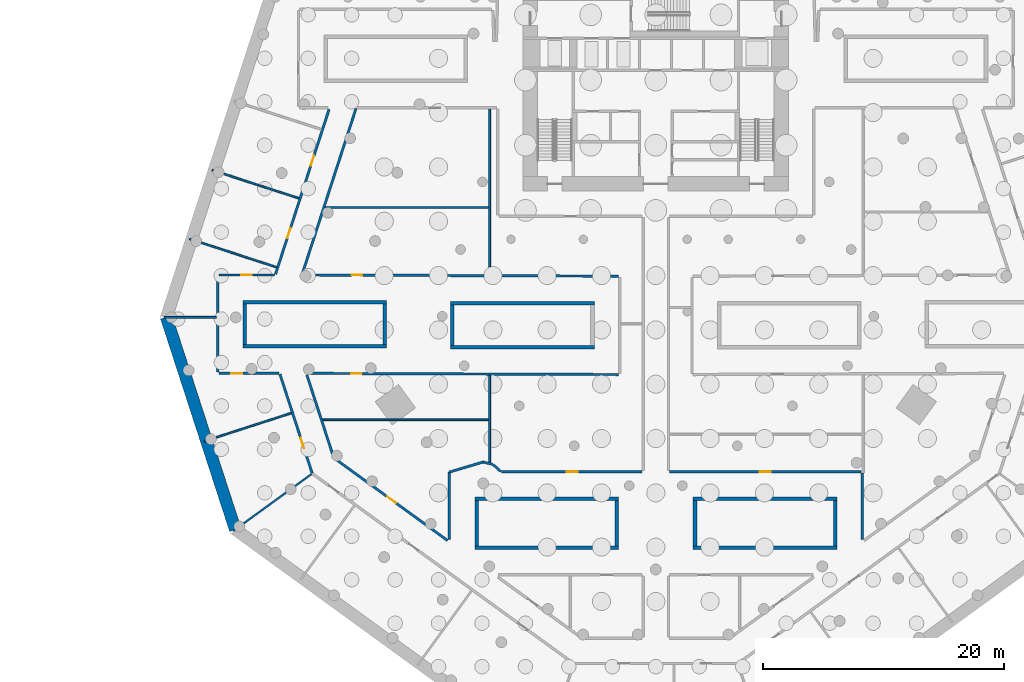
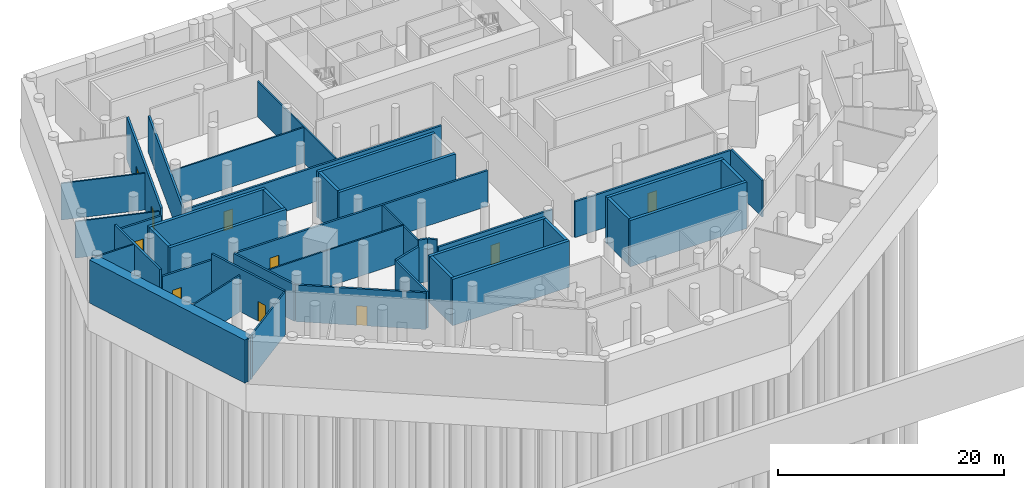
# One storey, part 6 of 12: 42 walls, 10 doors, 10 openings.
"""IFC4 building model written with IfcOpenShell, lengths in metres."""

from ifc_helpers import new_model, si_unit, direction, frame, frame_2d, origin, place, context, subcontext, project, spatial, rectangle, extrude, material, layer, layer_set, type_object, element, fill, save


model = new_model("IFC4")

# Units and contexts
model_context = context("Model", 3, precision=1e-05, world=origin(), true_north=direction((0.0, 1.0)))
body_context = subcontext(model_context, "Body", "Model", "MODEL_VIEW")
ifc_project = project(units=[si_unit("LENGTHUNIT", "METRE"), si_unit("AREAUNIT", "SQUARE_METRE"), si_unit("VOLUMEUNIT", "CUBIC_METRE"), si_unit("PLANEANGLEUNIT", "RADIAN"), si_unit("MASSUNIT", "GRAM", prefix="KILO")], contexts=[model_context])

# Site, building, storey
site_placement = place(None, origin())
site = spatial("IfcSite", under=ifc_project, at=site_placement, CompositionType="ELEMENT")
building_placement = place(site_placement, origin())
building = spatial("IfcBuilding", under=site, at=building_placement, Name="White Candle Pilgrim Tower", CompositionType="ELEMENT")
storey_placement = place(building_placement, frame((0.0, 0.0, -10.0)))
storey = spatial("IfcBuildingStorey", under=building, at=storey_placement, Name="B2", CompositionType="ELEMENT", Elevation=-10.0)

# Wall, opening, door
ifc_material_1 = material(Name="Gypsum board on steel studs", Category="steel")
ifc_layer_1 = layer(ifc_material_1, 0.199951171875)
ifc_layer_set_1 = layer_set([ifc_layer_1], Name="Corridor wall 200 mm EI 45")
wall_type_1 = type_object("IfcWallType", Name="Corridor wall 200 mm EI 45", PredefinedType="PARTITIONING", material=ifc_layer_set_1)
wall_1_placement = place(storey_placement, frame((41.526611328125, 47.62890625, 0.0), z_axis=(0.0, 0.0, 1.0), x_axis=(-0.309050865735, 0.951045510156, 0.0)))
wall_1 = element("IfcWall", 1, at=wall_1_placement, inside=storey, type_object=wall_type_1, Name="WL-B2-P001", PredefinedType="PARTITIONING", context=body_context, shape_type="SweptSolid", body=[
    extrude(rectangle(XDim=8.6240234375, YDim=0.199951171875, at=frame_2d((4.31201171875, 0.0))), origin(), (0.0, 0.0, 1.0), 4.64990234375),
])
opening_1_placement = place(wall_1_placement, frame((2.169189453125, 0.0, 0.0)))
opening_1 = element("IfcOpeningElement", 2, at=opening_1_placement, cuts=wall_1, Name="Opening B2-106", PredefinedType="OPENING", context=body_context, shape_type="SweptSolid", body=[
    extrude(rectangle(XDim=0.89990234375, YDim=2.10009765625, at=frame_2d((0.449951171875, 1.050048828125))), frame((0.0, 0.10986328125, 0.0), z_axis=(0.0, -1.0, 0.0), x_axis=(1.0, 0.0, 0.0)), (0.0, 0.0, 1.0), 0.219970703125),
])
ifc_material_2 = material(Name="Steel door leaf", Category="steel")
door_type = type_object("IfcDoorType", Name="Fire door 900 x 2100 EI 30", OperationType="NOTDEFINED", PredefinedType="DOOR", material=ifc_material_2)
door_1_placement = place(opening_1_placement, origin())
door_1 = element("IfcDoor", 3, at=door_1_placement, inside=storey, type_object=door_type, Name="Door B2-106", OperationType="SINGLE_SWING_RIGHT", OverallHeight=2.10009765625, OverallWidth=0.89990234375, PredefinedType="DOOR", context=body_context, shape_type="SweptSolid", body=[
    extrude(rectangle(XDim=0.89990234375, YDim=2.10009765625, at=frame_2d((0.449951171875, 1.050048828125))), frame((0.0, 0.02490234375, 0.0), z_axis=(0.0, -1.0, 0.0), x_axis=(1.0, 0.0, 0.0)), (0.0, 0.0, 1.0), 0.050048828125),
])
fill(opening_1, door_1)

wall_2_placement = place(storey_placement, frame((38.766357421875, 55.89990234375, 0.0), z_axis=(0.0, 0.0, 1.0), x_axis=(-1.0, 0.0, 0.0)))
wall_2 = element("IfcWall", 4, at=wall_2_placement, inside=storey, type_object=wall_type_1, Name="WL-B2-P002", PredefinedType="PARTITIONING", context=body_context, shape_type="SweptSolid", body=[
    extrude(rectangle(XDim=4.96630859375, YDim=0.199951171875, at=frame_2d((2.483154296875, 0.0))), origin(), (0.0, 0.0, 1.0), 3.949951171875),
])
opening_2_placement = place(wall_2_placement, frame((3.046875, 0.0, 0.0)))
opening_2 = element("IfcOpeningElement", 5, at=opening_2_placement, cuts=wall_2, Name="Opening B2-105", PredefinedType="OPENING", context=body_context, shape_type="SweptSolid", body=[
    extrude(rectangle(XDim=0.89990234375, YDim=2.10009765625, at=frame_2d((0.449951171875, 1.050048828125))), frame((0.0, 0.10986328125, 0.0), z_axis=(0.0, -1.0, 0.0), x_axis=(1.0, 0.0, 0.0)), (0.0, 0.0, 1.0), 0.219970703125),
])
door_2_placement = place(opening_2_placement, origin())
door_2 = element("IfcDoor", 6, at=door_2_placement, inside=storey, type_object=door_type, Name="Door B2-105", OperationType="SINGLE_SWING_LEFT", OverallHeight=2.10009765625, OverallWidth=0.89990234375, PredefinedType="DOOR", context=body_context, shape_type="SweptSolid", body=[
    extrude(rectangle(XDim=0.89990234375, YDim=2.10009765625, at=frame_2d((0.449951171875, 1.050048828125))), frame((0.0, 0.02490234375, 0.0), z_axis=(0.0, -1.0, 0.0), x_axis=(1.0, 0.0, 0.0)), (0.0, 0.0, 1.0), 0.050048828125),
])
fill(opening_2, door_2)

# Wall
wall_3_placement = place(storey_placement, frame((33.699951171875, 56.0, 0.0), z_axis=(0.0, 0.0, 1.0), x_axis=(0.0, 1.0, 0.0)))
element("IfcWall", 7, at=wall_3_placement, inside=storey, type_object=wall_type_1, Name="WL-B2-P003", PredefinedType="PARTITIONING", context=body_context, shape_type="SweptSolid", body=[
    extrude(rectangle(XDim=7.949951171875, YDim=0.199951171875, at=frame_2d((3.97509765625, 0.0))), origin(), (0.0, 0.0, 1.0), 4.64990234375),
])

# Wall, opening, door
wall_4_placement = place(storey_placement, frame((33.800048828125, 64.050048828125, 0.0), z_axis=(0.0, 0.0, 1.0), x_axis=(1.0, 0.0, 0.0)))
wall_4 = element("IfcWall", 8, at=wall_4_placement, inside=storey, type_object=wall_type_1, Name="WL-B2-P004", PredefinedType="PARTITIONING", context=body_context, shape_type="SweptSolid", body=[
    extrude(rectangle(XDim=4.599609375, YDim=0.199951171875, at=frame_2d((2.2998046875, 0.0))), origin(), (0.0, 0.0, 1.0), 3.949951171875),
])
opening_3_placement = place(wall_4_placement, frame((1.836181640625, 0.0, 0.0)))
opening_3 = element("IfcOpeningElement", 9, at=opening_3_placement, cuts=wall_4, Name="Opening B2-104", PredefinedType="OPENING", context=body_context, shape_type="SweptSolid", body=[
    extrude(rectangle(XDim=0.89990234375, YDim=2.10009765625, at=frame_2d((0.449951171875, 1.050048828125))), frame((0.0, 0.10986328125, 0.0), z_axis=(0.0, -1.0, 0.0), x_axis=(1.0, 0.0, 0.0)), (0.0, 0.0, 1.0), 0.219970703125),
])
door_3_placement = place(opening_3_placement, origin())
door_3 = element("IfcDoor", 10, at=door_3_placement, inside=storey, type_object=door_type, Name="Door B2-104", OperationType="SINGLE_SWING_RIGHT", OverallHeight=2.10009765625, OverallWidth=0.89990234375, PredefinedType="DOOR", context=body_context, shape_type="SweptSolid", body=[
    extrude(rectangle(XDim=0.89990234375, YDim=2.10009765625, at=frame_2d((0.449951171875, 1.050048828125))), frame((0.0, 0.02490234375, 0.0), z_axis=(0.0, -1.0, 0.0), x_axis=(1.0, 0.0, 0.0)), (0.0, 0.0, 1.0), 0.050048828125),
])
fill(opening_3, door_3)

# Wall, openings, doors
wall_5_placement = place(storey_placement, frame((38.494873046875, 64.119140625, 0.0), z_axis=(0.0, 0.0, 1.0), x_axis=(0.309012990643, 0.951057817177, 0.0)))
wall_5 = element("IfcWall", 11, at=wall_5_placement, inside=storey, type_object=wall_type_1, Name="WL-B2-P005", PredefinedType="PARTITIONING", context=body_context, shape_type="SweptSolid", body=[
    extrude(rectangle(XDim=14.352294921875, YDim=0.199951171875, at=frame_2d((7.17626953125, 0.0))), origin(), (0.0, 0.0, 1.0), 4.64990234375),
])
opening_4_placement = place(wall_5_placement, frame((9.441162109375, 0.0, 0.0)))
opening_4 = element("IfcOpeningElement", 12, at=opening_4_placement, cuts=wall_5, Name="Opening B2-102", PredefinedType="OPENING", context=body_context, shape_type="SweptSolid", body=[
    extrude(rectangle(XDim=0.89990234375, YDim=2.10009765625, at=frame_2d((0.449951171875, 1.050048828125))), frame((0.0, 0.10986328125, 0.0), z_axis=(0.0, -1.0, 0.0), x_axis=(1.0, 0.0, 0.0)), (0.0, 0.0, 1.0), 0.219970703125),
])
opening_5_placement = place(wall_5_placement, frame((3.12353515625, 0.0, 0.0)))
opening_5 = element("IfcOpeningElement", 13, at=opening_5_placement, cuts=wall_5, Name="Opening B2-103", PredefinedType="OPENING", context=body_context, shape_type="SweptSolid", body=[
    extrude(rectangle(XDim=0.89990234375, YDim=2.10009765625, at=frame_2d((0.449951171875, 1.050048828125))), frame((0.0, 0.10986328125, 0.0), z_axis=(0.0, -1.0, 0.0), x_axis=(1.0, 0.0, 0.0)), (0.0, 0.0, 1.0), 0.219970703125),
])
door_4_placement = place(opening_4_placement, origin())
door_4 = element("IfcDoor", 14, at=door_4_placement, inside=storey, type_object=door_type, Name="Door B2-102", OperationType="SINGLE_SWING_RIGHT", OverallHeight=2.10009765625, OverallWidth=0.89990234375, PredefinedType="DOOR", context=body_context, shape_type="SweptSolid", body=[
    extrude(rectangle(XDim=0.89990234375, YDim=2.10009765625, at=frame_2d((0.449951171875, 1.050048828125))), frame((0.0, 0.02490234375, 0.0), z_axis=(0.0, -1.0, 0.0), x_axis=(1.0, 0.0, 0.0)), (0.0, 0.0, 1.0), 0.050048828125),
])
fill(opening_4, door_4)
door_5_placement = place(opening_5_placement, origin())
door_5 = element("IfcDoor", 15, at=door_5_placement, inside=storey, type_object=door_type, Name="Door B2-103", OperationType="SINGLE_SWING_LEFT", OverallHeight=2.10009765625, OverallWidth=0.89990234375, PredefinedType="DOOR", context=body_context, shape_type="SweptSolid", body=[
    extrude(rectangle(XDim=0.89990234375, YDim=2.10009765625, at=frame_2d((0.449951171875, 1.050048828125))), frame((0.0, 0.02490234375, 0.0), z_axis=(0.0, -1.0, 0.0), x_axis=(1.0, 0.0, 0.0)), (0.0, 0.0, 1.0), 0.050048828125),
])
fill(opening_5, door_5)

# Wall, opening, door
wall_6_placement = place(storey_placement, frame((71.14990234375, 47.75, 0.0), z_axis=(0.0, 0.0, 1.0), x_axis=(1.0, 0.0, 0.0)))
wall_6 = element("IfcWall", 16, at=wall_6_placement, inside=storey, type_object=wall_type_1, Name="WL-B2-P033", PredefinedType="PARTITIONING", context=body_context, shape_type="SweptSolid", body=[
    extrude(rectangle(XDim=15.85009765625, YDim=0.199951171875, at=frame_2d((7.925048828125, 0.0))), origin(), (0.0, 0.0, 1.0), 3.85009765625),
])
opening_6_placement = place(wall_6_placement, frame((7.47509765625, 0.0, 0.0)))
opening_6 = element("IfcOpeningElement", 17, at=opening_6_placement, cuts=wall_6, Name="Opening B2-137", PredefinedType="OPENING", context=body_context, shape_type="SweptSolid", body=[
    extrude(rectangle(XDim=0.89990234375, YDim=2.10009765625, at=frame_2d((0.449951171875, 1.050048828125))), frame((0.0, 0.10986328125, 0.0), z_axis=(0.0, -1.0, 0.0), x_axis=(1.0, 0.0, 0.0)), (0.0, 0.0, 1.0), 0.219970703125),
])
door_6_placement = place(opening_6_placement, origin())
door_6 = element("IfcDoor", 18, at=door_6_placement, inside=storey, type_object=door_type, Name="Door B2-137", OperationType="SINGLE_SWING_LEFT", OverallHeight=2.10009765625, OverallWidth=0.89990234375, PredefinedType="DOOR", context=body_context, shape_type="SweptSolid", body=[
    extrude(rectangle(XDim=0.89990234375, YDim=2.10009765625, at=frame_2d((0.449951171875, 1.050048828125))), frame((0.0, 0.02490234375, 0.0), z_axis=(0.0, -1.0, 0.0), x_axis=(1.0, 0.0, 0.0)), (0.0, 0.0, 1.0), 0.050048828125),
])
fill(opening_6, door_6)

# Wall
wall_7_placement = place(storey_placement, frame((87.10009765625, 47.64990234375, 0.0), z_axis=(0.0, 0.0, 1.0), x_axis=(0.0, -1.0, 0.0)))
element("IfcWall", 19, at=wall_7_placement, inside=storey, type_object=wall_type_1, Name="WL-B2-P034", PredefinedType="PARTITIONING", context=body_context, shape_type="SweptSolid", body=[
    extrude(rectangle(XDim=5.51611328125, YDim=0.199951171875, at=frame_2d((2.758056640625, 0.0))), origin(), (0.0, 0.0, 1.0), 3.949951171875),
])

# Wall, opening, door
wall_8_placement = place(storey_placement, frame((66.899658203125, 55.80029296875, 0.0), z_axis=(0.0, 0.0, 1.0), x_axis=(-0.999992570732, 0.003854670107, 0.0)))
wall_8 = element("IfcWall", 20, at=wall_8_placement, inside=storey, type_object=wall_type_1, Name="WL-B2-P041", PredefinedType="PARTITIONING", context=body_context, shape_type="SweptSolid", body=[
    extrude(rectangle(XDim=25.714599609375, YDim=0.199951171875, at=frame_2d((12.857421875, 0.0))), origin(), (0.0, 0.0, 1.0), 3.85009765625),
])
opening_7_placement = place(wall_8_placement, frame((21.251220703125, 0.0, 0.0)))
opening_7 = element("IfcOpeningElement", 21, at=opening_7_placement, cuts=wall_8, Name="Opening B2-123", PredefinedType="OPENING", context=body_context, shape_type="SweptSolid", body=[
    extrude(rectangle(XDim=0.89990234375, YDim=2.10009765625, at=frame_2d((0.449951171875, 1.050048828125))), frame((0.0, 0.10986328125, 0.0), z_axis=(0.0, -1.0, 0.0), x_axis=(1.0, 0.0, 0.0)), (0.0, 0.0, 1.0), 0.219970703125),
])
door_7_placement = place(opening_7_placement, origin())
door_7 = element("IfcDoor", 22, at=door_7_placement, inside=storey, type_object=door_type, Name="Door B2-123", OperationType="SINGLE_SWING_LEFT", OverallHeight=2.10009765625, OverallWidth=0.89990234375, PredefinedType="DOOR", context=body_context, shape_type="SweptSolid", body=[
    extrude(rectangle(XDim=0.89990234375, YDim=2.10009765625, at=frame_2d((0.449951171875, 1.050048828125))), frame((0.0, 0.02490234375, 0.0), z_axis=(0.0, -1.0, 0.0), x_axis=(1.0, 0.0, 0.0)), (0.0, 0.0, 1.0), 0.050048828125),
])
fill(opening_7, door_7)

# Wall
wall_9_placement = place(storey_placement, frame((41.08984375, 55.7685546875, 0.0), z_axis=(0.0, 0.0, 1.0), x_axis=(0.309000124439, -0.951061997504, 0.0)))
element("IfcWall", 23, at=wall_9_placement, inside=storey, type_object=wall_type_1, Name="WL-B2-P042", PredefinedType="PARTITIONING", context=body_context, shape_type="SweptSolid", body=[
    extrude(rectangle(XDim=7.19384765625, YDim=0.199951171875, at=frame_2d((3.596923828125, 0.0))), origin(), (0.0, 0.0, 1.0), 3.949951171875),
])

# Wall, opening, door
wall_10_placement = place(storey_placement, frame((43.34912109375, 48.876708984375, 0.0), z_axis=(0.0, 0.0, 1.0), x_axis=(0.809017904923, -0.587783999028, 0.0)))
wall_10 = element("IfcWall", 24, at=wall_10_placement, inside=storey, type_object=wall_type_1, Name="WL-B2-P043", PredefinedType="PARTITIONING", context=body_context, shape_type="SweptSolid", body=[
    extrude(rectangle(XDim=11.609130859375, YDim=0.199951171875, at=frame_2d((5.8046875, 0.0))), origin(), (0.0, 0.0, 1.0), 3.949951171875),
])
opening_8_placement = place(wall_10_placement, frame((5.436279296875, 0.0, 0.0)))
opening_8 = element("IfcOpeningElement", 25, at=opening_8_placement, cuts=wall_10, Name="Opening B2-122", PredefinedType="OPENING", context=body_context, shape_type="SweptSolid", body=[
    extrude(rectangle(XDim=0.89990234375, YDim=2.10009765625, at=frame_2d((0.449951171875, 1.050048828125))), frame((0.0, 0.10986328125, 0.0), z_axis=(0.0, -1.0, 0.0), x_axis=(1.0, 0.0, 0.0)), (0.0, 0.0, 1.0), 0.219970703125),
])
door_8_placement = place(opening_8_placement, origin())
door_8 = element("IfcDoor", 26, at=door_8_placement, inside=storey, type_object=door_type, Name="Door B2-122", OperationType="SINGLE_SWING_RIGHT", OverallHeight=2.10009765625, OverallWidth=0.89990234375, PredefinedType="DOOR", context=body_context, shape_type="SweptSolid", body=[
    extrude(rectangle(XDim=0.89990234375, YDim=2.10009765625, at=frame_2d((0.449951171875, 1.050048828125))), frame((0.0, 0.02490234375, 0.0), z_axis=(0.0, -1.0, 0.0), x_axis=(1.0, 0.0, 0.0)), (0.0, 0.0, 1.0), 0.050048828125),
])
fill(opening_8, door_8)

# Walls
wall_11_placement = place(storey_placement, frame((52.89990234375, 42.1337890625, 0.0), z_axis=(0.0, 0.0, 1.0), x_axis=(0.0, 1.0, 0.0)))
element("IfcWall", 27, at=wall_11_placement, inside=storey, type_object=wall_type_1, Name="WL-B2-P044", PredefinedType="PARTITIONING", context=body_context, shape_type="SweptSolid", body=[
    extrude(rectangle(XDim=5.58642578125, YDim=0.199951171875, at=frame_2d((2.793212890625, 0.0))), origin(), (0.0, 0.0, 1.0), 3.949951171875),
])
wall_12_placement = place(storey_placement, frame((52.885009765625, 47.715576171875, 0.0), z_axis=(0.0, 0.0, 1.0), x_axis=(0.958064878425, 0.286551371885, 0.0)))
element("IfcWall", 28, at=wall_12_placement, inside=storey, type_object=wall_type_1, Name="WL-B2-P045", PredefinedType="PARTITIONING", context=body_context, shape_type="SweptSolid", body=[
    extrude(rectangle(XDim=3.00927734375, YDim=0.199951171875, at=frame_2d((1.504638671875, 0.0))), origin(), (0.0, 0.0, 1.0), 3.949951171875),
])
wall_13_placement = place(storey_placement, frame((55.67578125, 48.55029296875, 0.0), z_axis=(0.0, 0.0, 1.0), x_axis=(0.973904551026, -0.226957981772, 0.0)))
element("IfcWall", 29, at=wall_13_placement, inside=storey, type_object=wall_type_1, Name="WL-B2-P046", PredefinedType="PARTITIONING", context=body_context, shape_type="SweptSolid", body=[
    extrude(rectangle(XDim=0.823974609375, YDim=0.199951171875, at=frame_2d((0.412109375, 0.0))), origin(), (0.0, 0.0, 1.0), 4.64990234375),
])
wall_14_placement = place(storey_placement, frame((56.522216796875, 48.34033203125, 0.0), z_axis=(0.0, 0.0, 1.0), x_axis=(0.744440847373, -0.667688418923, 0.0)))
element("IfcWall", 30, at=wall_14_placement, inside=storey, type_object=wall_type_1, Name="WL-B2-P047", PredefinedType="PARTITIONING", context=body_context, shape_type="SweptSolid", body=[
    extrude(rectangle(XDim=0.84619140625, YDim=0.199951171875, at=frame_2d((0.423095703125, 0.0))), origin(), (0.0, 0.0, 1.0), 4.64990234375),
])

# Wall, opening, door
wall_15_placement = place(storey_placement, frame((57.218994140625, 47.75, 0.0), z_axis=(0.0, 0.0, 1.0), x_axis=(1.0, 0.0, 0.0)))
wall_15 = element("IfcWall", 31, at=wall_15_placement, inside=storey, type_object=wall_type_1, Name="WL-B2-P048", PredefinedType="PARTITIONING", context=body_context, shape_type="SweptSolid", body=[
    extrude(rectangle(XDim=11.631103515625, YDim=0.199951171875, at=frame_2d((5.8154296875, 0.0))), origin(), (0.0, 0.0, 1.0), 3.85009765625),
])
opening_9_placement = place(wall_15_placement, frame((5.396484375, 0.0, 0.0)))
opening_9 = element("IfcOpeningElement", 32, at=opening_9_placement, cuts=wall_15, Name="Opening B2-126", PredefinedType="OPENING", context=body_context, shape_type="SweptSolid", body=[
    extrude(rectangle(XDim=0.89990234375, YDim=2.10009765625, at=frame_2d((0.449951171875, 1.050048828125))), frame((0.0, 0.10986328125, 0.0), z_axis=(0.0, -1.0, 0.0), x_axis=(1.0, 0.0, 0.0)), (0.0, 0.0, 1.0), 0.219970703125),
])
door_9_placement = place(opening_9_placement, origin())
door_9 = element("IfcDoor", 33, at=door_9_placement, inside=storey, type_object=door_type, Name="Door B2-126", OperationType="SINGLE_SWING_RIGHT", OverallHeight=2.10009765625, OverallWidth=0.89990234375, PredefinedType="DOOR", context=body_context, shape_type="SweptSolid", body=[
    extrude(rectangle(XDim=0.89990234375, YDim=2.10009765625, at=frame_2d((0.449951171875, 1.050048828125))), frame((0.0, 0.02490234375, 0.0), z_axis=(0.0, -1.0, 0.0), x_axis=(1.0, 0.0, 0.0)), (0.0, 0.0, 1.0), 0.050048828125),
])
fill(opening_9, door_9)

# Wall
wall_16_placement = place(storey_placement, frame((45.158203125, 77.830810546875, 0.0), z_axis=(0.0, 0.0, 1.0), x_axis=(-0.309018378218, -0.951056066656, 0.0)))
element("IfcWall", 34, at=wall_16_placement, inside=storey, type_object=wall_type_1, Name="WL-B2-P053", PredefinedType="PARTITIONING", context=body_context, shape_type="SweptSolid", body=[
    extrude(rectangle(XDim=14.352783203125, YDim=0.199951171875, at=frame_2d((7.17626953125, 0.0))), origin(), (0.0, 0.0, 1.0), 3.949951171875),
])

# Wall, opening, door
wall_17_placement = place(storey_placement, frame((40.8173828125, 64.049560546875, 0.0), z_axis=(0.0, 0.0, 1.0), x_axis=(0.999992779253, -0.003800189715, 0.0)))
wall_17 = element("IfcWall", 35, at=wall_17_placement, inside=storey, type_object=wall_type_1, Name="WL-B2-P054", PredefinedType="PARTITIONING", context=body_context, shape_type="SweptSolid", body=[
    extrude(rectangle(XDim=26.083251953125, YDim=0.199951171875, at=frame_2d((13.04150390625, 0.0))), origin(), (0.0, 0.0, 1.0), 3.75),
])
opening_10_placement = place(wall_17_placement, frame((3.97265625, 0.0, 0.0)))
opening_10 = element("IfcOpeningElement", 36, at=opening_10_placement, cuts=wall_17, Name="Opening B2-124", PredefinedType="OPENING", context=body_context, shape_type="SweptSolid", body=[
    extrude(rectangle(XDim=0.89990234375, YDim=2.10009765625, at=frame_2d((0.449951171875, 1.050048828125))), frame((0.0, 0.10986328125, 0.0), z_axis=(0.0, -1.0, 0.0), x_axis=(1.0, 0.0, 0.0)), (0.0, 0.0, 1.0), 0.219970703125),
])
door_10_placement = place(opening_10_placement, origin())
door_10 = element("IfcDoor", 37, at=door_10_placement, inside=storey, type_object=door_type, Name="Door B2-124", OperationType="SINGLE_SWING_RIGHT", OverallHeight=2.10009765625, OverallWidth=0.89990234375, PredefinedType="DOOR", context=body_context, shape_type="SweptSolid", body=[
    extrude(rectangle(XDim=0.89990234375, YDim=2.10009765625, at=frame_2d((0.449951171875, 1.050048828125))), frame((0.0, 0.02490234375, 0.0), z_axis=(0.0, -1.0, 0.0), x_axis=(1.0, 0.0, 0.0)), (0.0, 0.0, 1.0), 0.050048828125),
])
fill(opening_10, door_10)

# Walls
ifc_material_3 = material(Name="Concrete C40/50", Category="concrete")
ifc_layer_2 = layer(ifc_material_3, 1.0)
ifc_layer_set_2 = layer_set([ifc_layer_2], Name="Diaphragm wall 1000")
wall_type_2 = type_object("IfcWallType", Name="Diaphragm wall 1000", PredefinedType="SOLIDWALL", material=ifc_layer_set_2)
wall_18_placement = place(storey_placement, frame((35.156494140625, 42.962646484375, 0.0), z_axis=(0.0, 0.0, 1.0), x_axis=(-0.309001835939, 0.951061441436, 0.0)))
element("IfcWall", 38, at=wall_18_placement, inside=storey, type_object=wall_type_2, Name="Diaphragm wall B2-05", PredefinedType="SOLIDWALL", context=body_context, shape_type="SweptSolid", body=[
    extrude(rectangle(XDim=18.481201171875, YDim=1.0, at=frame_2d((9.24072265625, 0.0))), origin(), (0.0, 0.0, 1.0), 4.64990234375),
])
ifc_layer_3 = layer(ifc_material_1, 0.14990234375)
ifc_layer_set_3 = layer_set([ifc_layer_3], Name="Partition 150 mm EI 60")
wall_type_3 = type_object("IfcWallType", Name="Partition 150 mm EI 60", PredefinedType="PARTITIONING", material=ifc_layer_set_3)
wall_19_placement = place(storey_placement, frame((29.25634765625, 60.539306640625, 0.0), z_axis=(0.0, 0.0, 1.0), x_axis=(1.0, 0.0, 0.0)))
element("IfcWall", 39, at=wall_19_placement, inside=storey, type_object=wall_type_3, Name="WL-B2-P059", PredefinedType="PARTITIONING", context=body_context, shape_type="SweptSolid", body=[
    extrude(rectangle(XDim=4.34375, YDim=0.14990234375, at=frame_2d((2.171875, 0.0))), origin(), (0.0, 0.0, 1.0), 4.64990234375),
])
wall_20_placement = place(storey_placement, frame((35.00341796875, 42.851318359375, 0.0), z_axis=(0.0, 0.0, 1.0), x_axis=(0.809022705267, 0.587777391843, 0.0)))
element("IfcWall", 40, at=wall_20_placement, inside=storey, type_object=wall_type_3, Name="WL-B2-P060", PredefinedType="PARTITIONING", context=body_context, shape_type="SweptSolid", body=[
    extrude(rectangle(XDim=7.990234375, YDim=0.14990234375, at=frame_2d((3.9951171875, 0.0))), origin(), (0.0, 0.0, 1.0), 4.64990234375),
])
for number, where, z_axis, x_axis, name in (
    (41, (33.221923828125, 72.744140625, 0.0), (0.0, 0.0, 1.0), (0.951058681979, -0.309010329007, 0.0), "WL-B2-P066"),
    (42, (31.367919921875, 67.037841796875, 0.0), (0.0, 0.0, 1.0), (0.951049215908, -0.309039461753, 0.0), "WL-B2-P067"),
    (43, (32.593505859375, 50.268798828125, 0.0), (0.0, 0.0, 1.0), (0.951058681979, 0.309010329007, 0.0), "WL-B2-P068"),
):
    element("IfcWall", number, at=place(storey_placement, frame(where, z_axis=z_axis, x_axis=x_axis)), inside=storey, type_object=wall_type_3, Name=name, PredefinedType="PARTITIONING", context=body_context, shape_type="SweptSolid", body=[
        extrude(rectangle(XDim=7.580078125, YDim=0.14990234375, at=frame_2d((3.7900390625, 0.0))), origin(), (0.0, 0.0, 1.0), 3.949951171875),
    ])
wall_21_placement = place(storey_placement, frame((56.229248046875, 48.54150390625, 0.0), z_axis=(0.0, 0.0, 1.0), x_axis=(0.0, 1.0, 0.0)))
element("IfcWall", 44, at=wall_21_placement, inside=storey, type_object=wall_type_3, Name="WL-B2-P079", PredefinedType="PARTITIONING", context=body_context, shape_type="SweptSolid", body=[
    extrude(rectangle(XDim=7.19970703125, YDim=0.14990234375, at=frame_2d((3.599853515625, 0.0))), origin(), (0.0, 0.0, 1.0), 3.85009765625),
])
wall_22_placement = place(storey_placement, frame((56.229248046875, 64.09130859375, 0.0), z_axis=(0.0, 0.0, 1.0), x_axis=(0.0, 1.0, 0.0)))
element("IfcWall", 45, at=wall_22_placement, inside=storey, type_object=wall_type_3, Name="WL-B2-P080", PredefinedType="PARTITIONING", context=body_context, shape_type="SweptSolid", body=[
    extrude(rectangle(XDim=13.708740234375, YDim=0.14990234375, at=frame_2d((6.8544921875, 0.0))), origin(), (0.0, 0.0, 1.0), 3.85009765625),
])
wall_23_placement = place(storey_placement, frame((42.423095703125, 52.0634765625, 0.0), z_axis=(0.0, 0.0, 1.0), x_axis=(1.0, 0.0, 0.0)))
element("IfcWall", 46, at=wall_23_placement, inside=storey, type_object=wall_type_3, Name="WL-B2-P081", PredefinedType="PARTITIONING", context=body_context, shape_type="SweptSolid", body=[
    extrude(rectangle(XDim=13.731201171875, YDim=0.14990234375, at=frame_2d((6.86572265625, 0.0))), origin(), (0.0, 0.0, 1.0), 3.949951171875),
])
wall_24_placement = place(storey_placement, frame((42.6240234375, 69.633056640625, 0.0), z_axis=(0.0, 0.0, 1.0), x_axis=(1.0, 0.0, 0.0)))
element("IfcWall", 47, at=wall_24_placement, inside=storey, type_object=wall_type_3, Name="WL-B2-P083", PredefinedType="PARTITIONING", context=body_context, shape_type="SweptSolid", body=[
    extrude(rectangle(XDim=13.5302734375, YDim=0.14990234375, at=frame_2d((6.76513671875, 0.0))), origin(), (0.0, 0.0, 1.0), 3.85009765625),
])
ifc_material_4 = material(Name="Concrete C60/75", Category="concrete")
ifc_layer_4 = layer(ifc_material_4, 0.300048828125)
ifc_layer_set_4 = layer_set([ifc_layer_4], Name="Shaft wall 300 mm Concrete C60/75")
wall_type_4 = type_object("IfcWallType", Name="Shaft wall 300 mm Concrete C60/75", PredefinedType="SHEAR", material=ifc_layer_set_4)
for number, where, z_axis, x_axis, name in (
    (48, (53.0, 58.050048828125, 0.0), (0.0, 0.0, 1.0), (1.0, 0.0, 0.0), "WL-B2-PB5S"),
    (49, (53.0, 61.699951171875, 0.0), (0.0, 0.0, 1.0), (1.0, 0.0, 0.0), "WL-B2-PB5N"),
):
    element("IfcWall", number, at=place(storey_placement, frame(where, z_axis=z_axis, x_axis=x_axis)), inside=storey, type_object=wall_type_4, Name=name, PredefinedType="SHEAR", context=body_context, shape_type="SweptSolid", body=[
        extrude(rectangle(XDim=11.89990234375, YDim=0.300048828125, at=frame_2d((5.949951171875, 0.0))), origin(), (0.0, 0.0, 1.0), 5.0),
    ])
wall_25_placement = place(storey_placement, frame((53.14990234375, 58.199951171875, 0.0), z_axis=(0.0, 0.0, 1.0), x_axis=(0.0, 1.0, 0.0)))
element("IfcWall", 50, at=wall_25_placement, inside=storey, type_object=wall_type_4, Name="WL-B2-PB5W", PredefinedType="SHEAR", context=body_context, shape_type="SweptSolid", body=[
    extrude(rectangle(XDim=3.35009765625, YDim=0.300048828125, at=frame_2d((1.675048828125, 0.0))), origin(), (0.0, 0.0, 1.0), 5.0),
])
for number, where, z_axis, x_axis, name in (
    (51, (55.0, 41.449951171875, 0.0), (0.0, 0.0, 1.0), (1.0, 0.0, 0.0), "WL-B2-PB6S"),
    (52, (55.0, 45.5, 0.0), (0.0, 0.0, 1.0), (1.0, 0.0, 0.0), "WL-B2-PB6N"),
):
    element("IfcWall", number, at=place(storey_placement, frame(where, z_axis=z_axis, x_axis=x_axis)), inside=storey, type_object=wall_type_4, Name=name, PredefinedType="SHEAR", context=body_context, shape_type="SweptSolid", body=[
        extrude(rectangle(XDim=11.89990234375, YDim=0.300048828125, at=frame_2d((5.949951171875, 0.0))), origin(), (0.0, 0.0, 1.0), 5.0),
    ])
for number, where, z_axis, x_axis, name in (
    (53, (55.14990234375, 41.60009765625, 0.0), (0.0, 0.0, 1.0), (0.0, 1.0, 0.0), "WL-B2-PB6W"),
    (54, (66.75, 41.60009765625, 0.0), (0.0, 0.0, 1.0), (0.0, 1.0, 0.0), "WL-B2-PB6E"),
):
    element("IfcWall", number, at=place(storey_placement, frame(where, z_axis=z_axis, x_axis=x_axis)), inside=storey, type_object=wall_type_4, Name=name, PredefinedType="SHEAR", context=body_context, shape_type="SweptSolid", body=[
        extrude(rectangle(XDim=3.75, YDim=0.300048828125, at=frame_2d((1.875, 0.0))), origin(), (0.0, 0.0, 1.0), 5.0),
    ])
for number, where, z_axis, x_axis, name in (
    (55, (73.10009765625, 41.449951171875, 0.0), (0.0, 0.0, 1.0), (1.0, 0.0, 0.0), "WL-B2-PB7S"),
    (56, (73.10009765625, 45.5, 0.0), (0.0, 0.0, 1.0), (1.0, 0.0, 0.0), "WL-B2-PB7N"),
):
    element("IfcWall", number, at=place(storey_placement, frame(where, z_axis=z_axis, x_axis=x_axis)), inside=storey, type_object=wall_type_4, Name=name, PredefinedType="SHEAR", context=body_context, shape_type="SweptSolid", body=[
        extrude(rectangle(XDim=11.89990234375, YDim=0.300048828125, at=frame_2d((5.949951171875, 0.0))), origin(), (0.0, 0.0, 1.0), 5.0),
    ])
for number, where, z_axis, x_axis, name in (
    (57, (73.25, 41.60009765625, 0.0), (0.0, 0.0, 1.0), (0.0, 1.0, 0.0), "WL-B2-PB7W"),
    (58, (84.85009765625, 41.60009765625, 0.0), (0.0, 0.0, 1.0), (0.0, 1.0, 0.0), "WL-B2-PB7E"),
):
    element("IfcWall", number, at=place(storey_placement, frame(where, z_axis=z_axis, x_axis=x_axis)), inside=storey, type_object=wall_type_4, Name=name, PredefinedType="SHEAR", context=body_context, shape_type="SweptSolid", body=[
        extrude(rectangle(XDim=3.75, YDim=0.300048828125, at=frame_2d((1.875, 0.0))), origin(), (0.0, 0.0, 1.0), 5.0),
    ])
for number, where, z_axis, x_axis, name in (
    (59, (35.800048828125, 58.14990234375, 0.0), (0.0, 0.0, 1.0), (1.0, 0.0, 0.0), "WL-B2-PB8S"),
    (60, (35.800048828125, 61.800048828125, 0.0), (0.0, 0.0, 1.0), (1.0, 0.0, 0.0), "WL-B2-PB8N"),
):
    element("IfcWall", number, at=place(storey_placement, frame(where, z_axis=z_axis, x_axis=x_axis)), inside=storey, type_object=wall_type_4, Name=name, PredefinedType="SHEAR", context=body_context, shape_type="SweptSolid", body=[
        extrude(rectangle(XDim=11.89990234375, YDim=0.300048828125, at=frame_2d((5.949951171875, 0.0))), origin(), (0.0, 0.0, 1.0), 5.0),
    ])
for number, where, z_axis, x_axis, name in (
    (61, (35.949951171875, 58.300048828125, 0.0), (0.0, 0.0, 1.0), (0.0, 1.0, 0.0), "WL-B2-PB8W"),
    (62, (47.550048828125, 58.300048828125, 0.0), (0.0, 0.0, 1.0), (0.0, 1.0, 0.0), "WL-B2-PB8E"),
):
    element("IfcWall", number, at=place(storey_placement, frame(where, z_axis=z_axis, x_axis=x_axis)), inside=storey, type_object=wall_type_4, Name=name, PredefinedType="SHEAR", context=body_context, shape_type="SweptSolid", body=[
        extrude(rectangle(XDim=3.349853515625, YDim=0.300048828125, at=frame_2d((1.6748046875, 0.0))), origin(), (0.0, 0.0, 1.0), 5.0),
    ])

save(model, "model.ifc")
